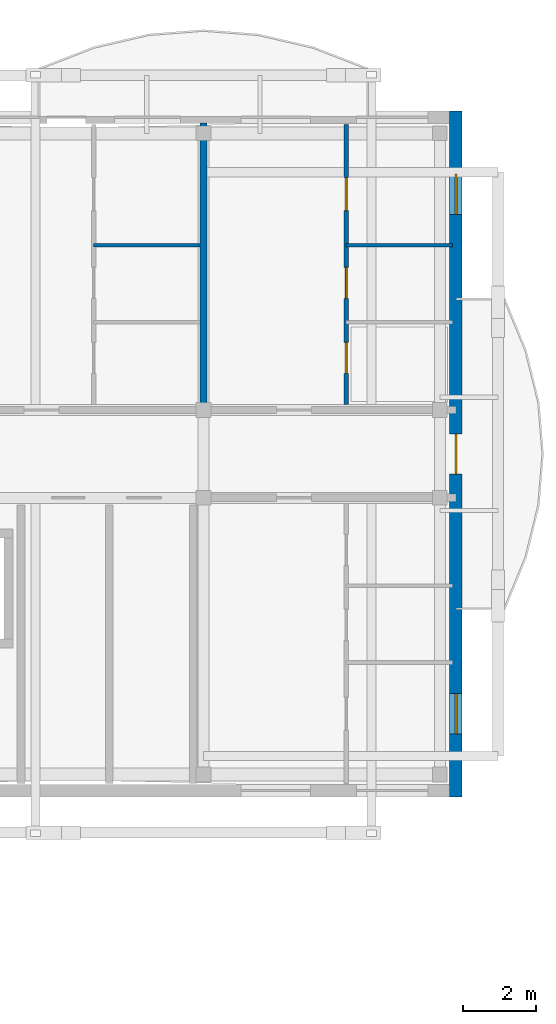
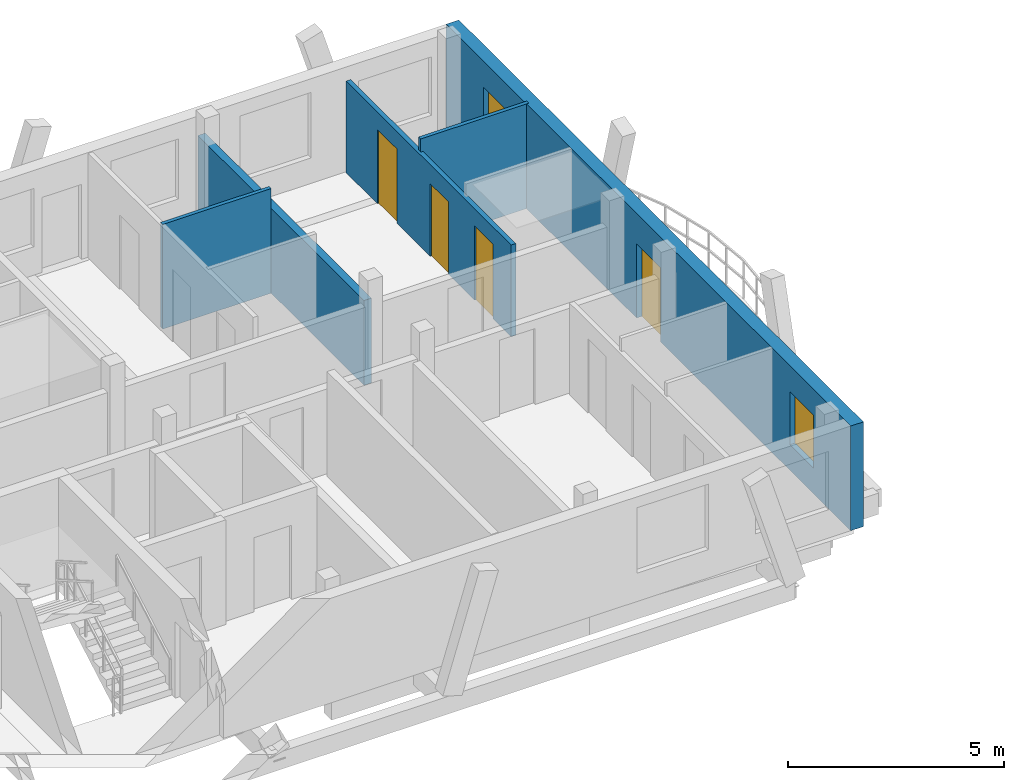
# One storey, part 31 of 41: 5 walls, 4 doors, 2 windows, 6 openings.
"""IFC4 building model written with IfcOpenShell, lengths in metres."""

from ifc_helpers import new_model, si_unit, direction, frame, frame_2d, origin, origin_with_axes, place, context, subcontext, project, spatial, rectangle, extrude, material, layer, layer_set, type_object, element, fill, save


model = new_model("IFC4")

# Units and contexts
model_context = context("Model", 3, precision=1e-05, world=origin(), true_north=direction((0.0, 1.0)))
body_context = subcontext(model_context, "Body", "Model", "MODEL_VIEW")
ifc_project = project(units=[si_unit("LENGTHUNIT", "METRE"), si_unit("AREAUNIT", "SQUARE_METRE"), si_unit("VOLUMEUNIT", "CUBIC_METRE"), si_unit("PLANEANGLEUNIT", "RADIAN"), si_unit("MASSUNIT", "GRAM", prefix="KILO")], contexts=[model_context])

# Site, building, storey
site_placement = place(None, origin())
site = spatial("IfcSite", under=ifc_project, at=site_placement, CompositionType="ELEMENT")
building_placement = place(site_placement, origin())
building = spatial("IfcBuilding", under=site, at=building_placement, Name="Zavelmont Quarter", CompositionType="ELEMENT")
storey_placement = place(building_placement, frame((0.0, 0.0, 27.199951171875)))
storey = spatial("IfcBuildingStorey", under=building, at=storey_placement, Name="L08", CompositionType="ELEMENT", Elevation=27.199951171875)

# Wall, openings, door, windows
ifc_material_1 = material(Name="Natural Belgian limestone", Category="masonry")
ifc_layer_1 = layer(ifc_material_1, 0.340087890625)
ifc_layer_set_1 = layer_set([ifc_layer_1], Name="Natural Belgian limestone")
wall_type_1 = type_object("IfcWallType", Name="EW03", PredefinedType="STANDARD", material=ifc_layer_set_1)
wall_1_placement = place(storey_placement, frame((168.0, 97.429931640625, 0.0), z_axis=(0.0, 0.0, 1.0), x_axis=(0.0, 1.0, 0.0)))
wall_1 = element("IfcWall", 1, at=wall_1_placement, inside=storey, type_object=wall_type_1, Name="L08 exterior limestone wall EW03", PredefinedType="STANDARD", context=body_context, shape_type="SweptSolid", body=[
    extrude(rectangle(XDim=18.739990234375, YDim=0.340087890625, at=frame_2d((9.3701171875, 0.0))), origin(), (0.0, 0.0, 1.0), 2.9599609375),
])
opening_1_placement = place(wall_1_placement, frame((8.820068359375, 0.0, 0.0)))
opening_1 = element("IfcOpeningElement", 2, at=opening_1_placement, cuts=wall_1, Name="Opening DR04B", PredefinedType="OPENING", context=body_context, shape_type="SweptSolid", body=[
    extrude(rectangle(XDim=1.10009765625, YDim=2.10009765625, at=frame_2d((0.550048828125, 1.050048828125))), frame((0.0, 0.18212890625, 0.0), z_axis=(0.0, -1.0, 0.0), x_axis=(1.0, 0.0, 0.0)), (0.0, 0.0, 1.0), 0.364013671875),
])
opening_2_placement = place(wall_1_placement, frame((1.719970703125, 0.0, 0.719970703125)))
opening_2 = element("IfcOpeningElement", 3, at=opening_2_placement, cuts=wall_1, Name="Opening WN09", PredefinedType="OPENING", context=body_context, shape_type="SweptSolid", body=[
    extrude(rectangle(XDim=1.10009765625, YDim=1.5, at=frame_2d((0.550048828125, 0.75))), frame((0.0, 0.18212890625, 0.0), z_axis=(0.0, -1.0, 0.0), x_axis=(1.0, 0.0, 0.0)), (0.0, 0.0, 1.0), 0.364013671875),
])
opening_3_placement = place(wall_1_placement, frame((15.919921875, 0.0, 0.719970703125)))
opening_3 = element("IfcOpeningElement", 4, at=opening_3_placement, cuts=wall_1, Name="Opening WN09", PredefinedType="OPENING", context=body_context, shape_type="SweptSolid", body=[
    extrude(rectangle(XDim=1.10009765625, YDim=1.5, at=frame_2d((0.550048828125, 0.75))), frame((0.0, 0.18212890625, 0.0), z_axis=(0.0, -1.0, 0.0), x_axis=(1.0, 0.0, 0.0)), (0.0, 0.0, 1.0), 0.364013671875),
])
ifc_material_2 = material(Name="Thermally broken aluminium and double safety glass", Category="aluminium")
door_type_1 = type_object("IfcDoorType", Name="DR04B", OperationType="NOTDEFINED", PredefinedType="DOOR", material=ifc_material_2)
door_1_placement = place(opening_1_placement, origin_with_axes())
door_1 = element("IfcDoor", 5, at=door_1_placement, inside=storey, type_object=door_type_1, Name="Block C L08 terrace or vase balcony door", OperationType="SINGLE_SWING_RIGHT", OverallHeight=2.10009765625, OverallWidth=1.10009765625, PredefinedType="DOOR", context=body_context, shape_type="SweptSolid", body=[
    extrude(rectangle(XDim=1.10009765625, YDim=2.10009765625, at=frame_2d((0.550048828125, 1.050048828125))), frame((0.0, 0.02490234375, 0.0), z_axis=(0.0, -1.0, 0.0), x_axis=(1.0, 0.0, 0.0)), (0.0, 0.0, 1.0), 0.050048828125),
])
fill(opening_1, door_1)
ifc_material_3 = material(Name="Double low-E insulated glazing in thermally broken aluminium frame", Category="aluminium")
window_type = type_object("IfcWindowType", Name="WN09", PartitioningType="SINGLE_PANEL", PredefinedType="WINDOW", material=ifc_material_3)
window_1_placement = place(opening_2_placement, origin_with_axes())
window_1 = element("IfcWindow", 6, at=window_1_placement, inside=storey, type_object=window_type, Name="L08 window WN09", OverallHeight=1.5, OverallWidth=1.10009765625, PartitioningType="SINGLE_PANEL", PredefinedType="WINDOW", context=body_context, shape_type="SweptSolid", body=[
    extrude(rectangle(XDim=1.10009765625, YDim=1.5, at=frame_2d((0.550048828125, 0.75))), frame((0.0, 0.030029296875, 0.0), z_axis=(0.0, -1.0, 0.0), x_axis=(1.0, 0.0, 0.0)), (0.0, 0.0, 1.0), 0.06005859375),
])
fill(opening_2, window_1)
window_2_placement = place(opening_3_placement, origin_with_axes())
window_2 = element("IfcWindow", 7, at=window_2_placement, inside=storey, type_object=window_type, Name="L08 window WN09", OverallHeight=1.5, OverallWidth=1.10009765625, PartitioningType="SINGLE_PANEL", PredefinedType="WINDOW", context=body_context, shape_type="SweptSolid", body=[
    extrude(rectangle(XDim=1.10009765625, YDim=1.5, at=frame_2d((0.550048828125, 0.75))), frame((0.0, 0.030029296875, 0.0), z_axis=(0.0, -1.0, 0.0), x_axis=(1.0, 0.0, 0.0)), (0.0, 0.0, 1.0), 0.06005859375),
])
fill(opening_3, window_2)

# Wall
ifc_material_4 = material(Name="Calcium-silicate blockwork and acoustic plaster", Category="masonry")
ifc_layer_2 = layer(ifc_material_4, 0.199951171875)
ifc_layer_set_2 = layer_set([ifc_layer_2], Name="Calcium-silicate blockwork and acoustic plaster")
wall_type_2 = type_object("IfcWallType", Name="IW01", PredefinedType="PARTITIONING", material=ifc_layer_set_2)
wall_2_placement = place(storey_placement, frame((161.10009765625, 108.14990234375, 0.0), z_axis=(0.0, 0.0, 1.0), x_axis=(0.0, 1.0, 0.0)))
element("IfcWall", 8, at=wall_2_placement, inside=storey, type_object=wall_type_2, Name="L08 Inter-dwelling compartment wall IW01", PredefinedType="PARTITIONING", context=body_context, shape_type="SweptSolid", body=[
    extrude(rectangle(XDim=7.7001953125, YDim=0.199951171875, at=frame_2d((3.85009765625, 0.0))), origin(), (0.0, 0.0, 1.0), 2.400146484375),
])

# Wall, openings, doors
ifc_material_5 = material(Name="Double gypsum board on acoustic steel stud", Category="steel")
ifc_layer_3 = layer(ifc_material_5, 0.125)
ifc_layer_set_3 = layer_set([ifc_layer_3], Name="Double gypsum board on acoustic steel stud")
wall_type_3 = type_object("IfcWallType", Name="IW03", PredefinedType="PARTITIONING", material=ifc_layer_set_3)
wall_3_placement = place(storey_placement, frame((165.0, 108.14990234375, 0.0), z_axis=(0.0, 0.0, 1.0), x_axis=(0.0, 1.0, 0.0)))
wall_3 = element("IfcWall", 9, at=wall_3_placement, inside=storey, type_object=wall_type_3, Name="L08 Partition IW03", PredefinedType="PARTITIONING", context=body_context, shape_type="SweptSolid", body=[
    extrude(rectangle(XDim=7.650146484375, YDim=0.125, at=frame_2d((3.8251953125, 0.0))), origin(), (0.0, 0.0, 1.0), 2.590087890625),
])
opening_4_placement = place(wall_3_placement, frame((0.85009765625, 0.0, 0.0)))
opening_4 = element("IfcOpeningElement", 10, at=opening_4_placement, cuts=wall_3, Name="Opening DR16", PredefinedType="OPENING", context=body_context, shape_type="SweptSolid", body=[
    extrude(rectangle(XDim=0.85009765625, YDim=2.10009765625, at=frame_2d((0.425048828125, 1.050048828125))), frame((0.0, 0.074462890625, 0.0), z_axis=(0.0, -1.0, 0.0), x_axis=(1.0, 0.0, 0.0)), (0.0, 0.0, 1.0), 0.14892578125),
])
opening_5_placement = place(wall_3_placement, frame((2.89990234375, 0.0, 0.0)))
opening_5 = element("IfcOpeningElement", 11, at=opening_5_placement, cuts=wall_3, Name="Opening DR06", PredefinedType="OPENING", context=body_context, shape_type="SweptSolid", body=[
    extrude(rectangle(XDim=0.85009765625, YDim=2.050048828125, at=frame_2d((0.425048828125, 1.02490234375))), frame((0.0, 0.074462890625, 0.0), z_axis=(0.0, -1.0, 0.0), x_axis=(1.0, 0.0, 0.0)), (0.0, 0.0, 1.0), 0.14892578125),
])
opening_6_placement = place(wall_3_placement, frame((5.300048828125, 0.0, 0.0)))
opening_6 = element("IfcOpeningElement", 12, at=opening_6_placement, cuts=wall_3, Name="Opening DR05", PredefinedType="OPENING", context=body_context, shape_type="SweptSolid", body=[
    extrude(rectangle(XDim=0.89990234375, YDim=2.10009765625, at=frame_2d((0.449951171875, 1.050048828125))), frame((0.0, 0.074462890625, 0.0), z_axis=(0.0, -1.0, 0.0), x_axis=(1.0, 0.0, 0.0)), (0.0, 0.0, 1.0), 0.14892578125),
])
ifc_material_6 = material(Name="Engineered oak flush interior door")
door_type_2 = type_object("IfcDoorType", Name="DR05", OperationType="NOTDEFINED", PredefinedType="DOOR", material=ifc_material_6)
door_2_placement = place(opening_6_placement, frame((0.89990234375, 0.0, 0.0), z_axis=(0.0, 0.0, 1.0), x_axis=(-1.0, 0.0, 0.0)))
door_2 = element("IfcDoor", 13, at=door_2_placement, inside=storey, type_object=door_type_2, Name="L08 door DR05", OperationType="SINGLE_SWING_LEFT", OverallHeight=2.10009765625, OverallWidth=0.89990234375, PredefinedType="DOOR", context=body_context, shape_type="SweptSolid", body=[
    extrude(rectangle(XDim=0.89990234375, YDim=2.10009765625, at=frame_2d((0.449951171875, 1.050048828125))), frame((0.0, 0.02490234375, 0.0), z_axis=(0.0, -1.0, 0.0), x_axis=(1.0, 0.0, 0.0)), (0.0, 0.0, 1.0), 0.050048828125),
])
fill(opening_6, door_2)
ifc_material_7 = material(Name="Moisture-resistant painted wet-room door")
door_type_3 = type_object("IfcDoorType", Name="DR06", OperationType="NOTDEFINED", PredefinedType="DOOR", material=ifc_material_7)
door_3_placement = place(opening_5_placement, origin_with_axes())
door_3 = element("IfcDoor", 14, at=door_3_placement, inside=storey, type_object=door_type_3, Name="L08 door DR06", OperationType="SINGLE_SWING_RIGHT", OverallHeight=2.050048828125, OverallWidth=0.85009765625, PredefinedType="DOOR", context=body_context, shape_type="SweptSolid", body=[
    extrude(rectangle(XDim=0.85009765625, YDim=2.050048828125, at=frame_2d((0.425048828125, 1.02490234375))), frame((0.0, 0.02490234375, 0.0), z_axis=(0.0, -1.0, 0.0), x_axis=(1.0, 0.0, 0.0)), (0.0, 0.0, 1.0), 0.050048828125),
])
fill(opening_5, door_3)
door_type_4 = type_object("IfcDoorType", Name="DR16", OperationType="NOTDEFINED", PredefinedType="DOOR", material=ifc_material_6)
door_4_placement = place(opening_4_placement, frame((0.85009765625, 0.0, 0.0), z_axis=(0.0, 0.0, 1.0), x_axis=(-1.0, 0.0, 0.0)))
door_4 = element("IfcDoor", 15, at=door_4_placement, inside=storey, type_object=door_type_4, Name="L08 door DR16", OperationType="SINGLE_SWING_LEFT", OverallHeight=2.10009765625, OverallWidth=0.85009765625, PredefinedType="DOOR", context=body_context, shape_type="SweptSolid", body=[
    extrude(rectangle(XDim=0.85009765625, YDim=2.10009765625, at=frame_2d((0.425048828125, 1.050048828125))), frame((0.0, 0.02490234375, 0.0), z_axis=(0.0, -1.0, 0.0), x_axis=(1.0, 0.0, 0.0)), (0.0, 0.0, 1.0), 0.050048828125),
])
fill(opening_4, door_4)

# Walls
ifc_material_8 = material(Name="Moisture-resistant gypsum board on steel stud", Category="steel")
ifc_layer_4 = layer(ifc_material_8, 0.10009765625)
ifc_layer_set_4 = layer_set([ifc_layer_4], Name="Moisture-resistant gypsum board on steel stud")
wall_type_4 = type_object("IfcWallType", Name="IW04", PredefinedType="PARTITIONING", material=ifc_layer_set_4)
for number, where, z_axis, x_axis, name in (
    (16, (158.10009765625, 112.5, 0.0), (0.0, 0.0, 1.0), (1.0, 0.0, 0.0), "L08 Partition IW04"),
    (17, (165.0, 112.5, 0.0), (0.0, 0.0, 1.0), (1.0, 0.0, 0.0), "L08 Partition IW04"),
):
    element("IfcWall", number, at=place(storey_placement, frame(where, z_axis=z_axis, x_axis=x_axis)), inside=storey, type_object=wall_type_4, Name=name, PredefinedType="PARTITIONING", context=body_context, shape_type="SweptSolid", body=[
        extrude(rectangle(XDim=2.89990234375, YDim=0.10009765625, at=frame_2d((1.449951171875, 0.0))), origin(), (0.0, 0.0, 1.0), 2.9599609375),
    ])

save(model, "model.ifc")
